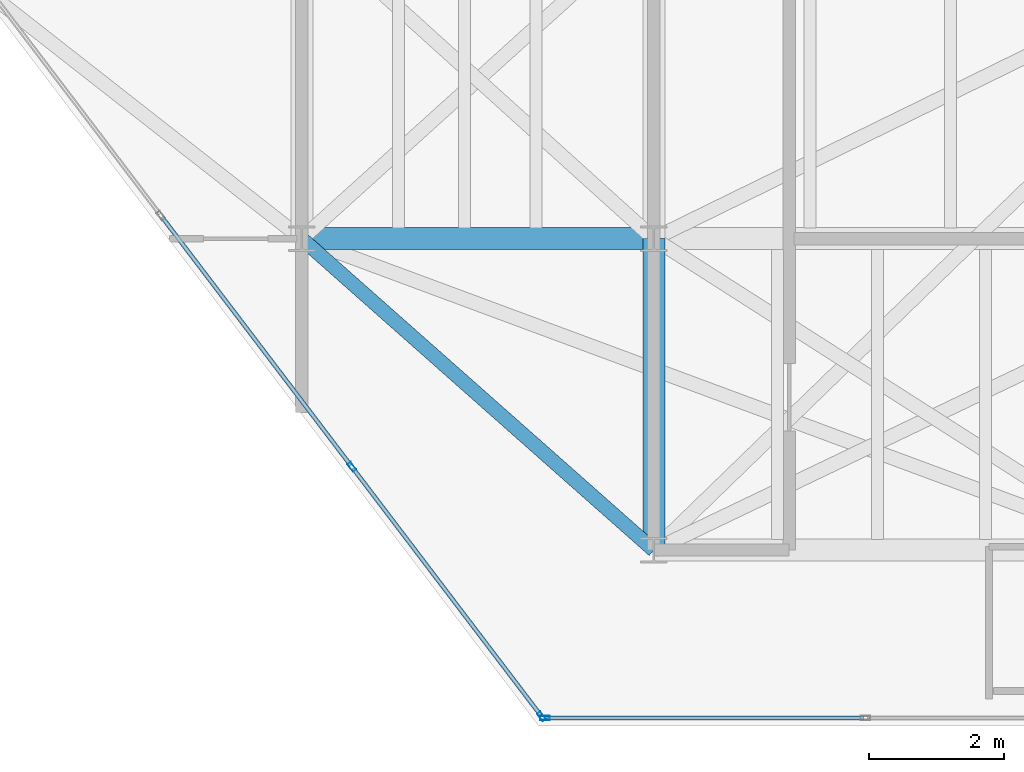
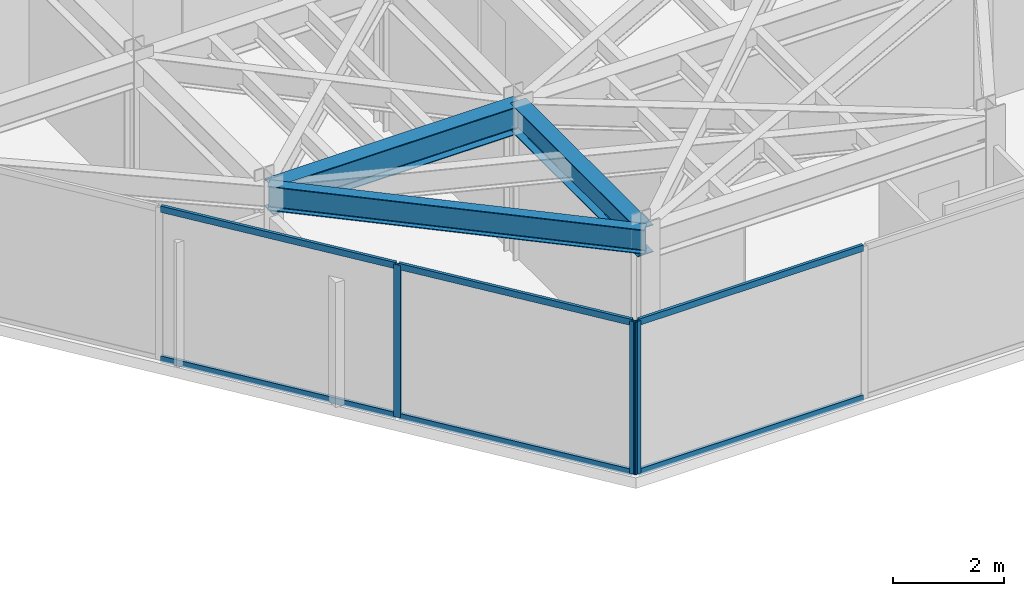
# One storey, part 7 of 16: 9 members, 3 beams, 2 elements without a shape of their own.
"""IFC4 building model written with IfcOpenShell, lengths in metres."""

from ifc_helpers import new_model, si_unit, direction, frame, origin, origin_2d, place, context, subcontext, project, spatial, hollow_rectangle, i_section, extrude, material, layer, layer_set, material_profile, profile_set, type_object, element, aggregate, save


model = new_model("IFC4")

# Units and contexts
model_context = context("Model", 3, precision=1e-05, world=origin(), true_north=direction((0.0, 1.0)))
body_context = subcontext(model_context, "Body", "Model", "MODEL_VIEW")
ifc_project = project(units=[si_unit("LENGTHUNIT", "METRE"), si_unit("AREAUNIT", "SQUARE_METRE"), si_unit("VOLUMEUNIT", "CUBIC_METRE"), si_unit("PLANEANGLEUNIT", "RADIAN"), si_unit("MASSUNIT", "GRAM", prefix="KILO")], contexts=[model_context])

# Site, building, storey
site_placement = place(None, origin())
site = spatial("IfcSite", under=ifc_project, at=site_placement, CompositionType="ELEMENT")
building_placement = place(site_placement, origin())
building = spatial("IfcBuilding", under=site, at=building_placement, Name="Kravanh Interchange Tower", CompositionType="ELEMENT")
storey_placement = place(building_placement, frame((0.0, 0.0, 303.89990234375)))
storey = spatial("IfcBuildingStorey", under=building, at=storey_placement, Name="L75", CompositionType="ELEMENT", Elevation=303.89990234375)

# Curtain wall, member
ifc_material_1 = material(Name="Anodised Bronze Aluminium", Category="aluminium")
ifc_layer = layer(ifc_material_1, 0.179931640625)
ifc_layer_set = layer_set([ifc_layer], Name="Unitised Curtain Wall System CW-HTL Luxury Hotel")
curtain_wall_type = type_object("IfcCurtainWallType", Name="Unitised Curtain Wall System CW-HTL Luxury Hotel", PredefinedType="NOTDEFINED", material=ifc_layer_set)
curtain_wall_1_placement = place(storey_placement, origin())
curtain_wall_1 = element("IfcCurtainWall", 1, at=curtain_wall_1_placement, inside=storey, type_object=curtain_wall_type, Name="L75 Unitised Curtain Wall CW-L75-03", PredefinedType="NOTDEFINED")
ifc_material_2 = material(Name="Anodised Bronze Aluminium", Category="aluminium")
ifc_material_profile_1 = material_profile(ifc_material_2, hollow_rectangle(XDim=0.06005859375, YDim=0.139892578125, WallThickness=0.00390625, at=origin_2d()), Name="ALU60X140X4")
ifc_profile_set_1 = profile_set([ifc_material_profile_1], Name="Anodised Bronze Aluminium")
member_type_1 = type_object("IfcMemberType", Name="Curtain Wall Mullion ALU60X140X4 Bronze", PredefinedType="MULLION", material=ifc_profile_set_1)
member_1_placement = place(storey_placement, frame((54.389404296875, 19.719970703125, 0.0), z_axis=(0.0, 0.0, 1.0), x_axis=(0.0, -1.0, 0.0)))
member_1 = element("IfcMember", 2, at=member_1_placement, type_object=member_type_1, Name="CW-HTL mullion 3", PredefinedType="MULLION", context=body_context, shape_type="SweptSolid", body=[
    extrude(hollow_rectangle(XDim=0.06005859375, YDim=0.139892578125, WallThickness=0.00390625, at=origin_2d()), origin(), (0.0, 0.0, 1.0), 3.364990234375),
])

# Curtain wall, members
curtain_wall_2_placement = place(storey_placement, origin())
curtain_wall_2 = element("IfcCurtainWall", 3, at=curtain_wall_2_placement, inside=storey, type_object=curtain_wall_type, Name="L75 Unitised Curtain Wall CW-L75-04", PredefinedType="NOTDEFINED")
member_2_placement = place(storey_placement, frame((54.34130859375, 19.743896484375, 0.0), z_axis=(0.0, 0.0, 1.0), x_axis=(-0.796161642797, -0.605083992962, 0.0)))
member_2 = element("IfcMember", 4, at=member_2_placement, type_object=member_type_1, Name="CW-HTL mullion 1", PredefinedType="MULLION", context=body_context, shape_type="SweptSolid", body=[
    extrude(hollow_rectangle(XDim=0.06005859375, YDim=0.139892578125, WallThickness=0.00390625, at=origin_2d()), origin(), (0.0, 0.0, 1.0), 3.364990234375),
])
member_3_placement = place(storey_placement, frame((51.53955078125, 23.430419921875, 0.0), z_axis=(0.0, 0.0, 1.0), x_axis=(-0.796161642797, -0.605083992962, 0.0)))
member_3 = element("IfcMember", 5, at=member_3_placement, type_object=member_type_1, Name="CW-HTL mullion 2", PredefinedType="MULLION", context=body_context, shape_type="SweptSolid", body=[
    extrude(hollow_rectangle(XDim=0.06005859375, YDim=0.139892578125, WallThickness=0.00390625, at=origin_2d()), origin(), (0.0, 0.0, 1.0), 3.364990234375),
])

# Member
ifc_material_3 = material(Name="Anodised Bronze Aluminium", Category="aluminium")
ifc_material_profile_2 = material_profile(ifc_material_3, hollow_rectangle(XDim=0.06005859375, YDim=0.139892578125, WallThickness=0.00390625, at=origin_2d()), Name="ALU60X140X4")
ifc_profile_set_2 = profile_set([ifc_material_profile_2], Name="Anodised Bronze Aluminium")
member_type_2 = type_object("IfcMemberType", Name="Curtain Wall Transom ALU60X140X4 Bronze", PredefinedType="USERDEFINED", material=ifc_profile_set_2)
member_4_placement = place(storey_placement, frame((59.096435546875, 19.719970703125, 0.030029296875), z_axis=(-1.0, 0.0, 0.0), x_axis=(0.0, -1.0, 0.0)))
member_4 = element("IfcMember", 6, at=member_4_placement, type_object=member_type_2, Name="CW-HTL transom 2.1", ObjectType="TRANSOM", PredefinedType="USERDEFINED", context=body_context, shape_type="SweptSolid", body=[
    extrude(hollow_rectangle(XDim=0.06005859375, YDim=0.139892578125, WallThickness=0.00390625, at=origin_2d()), origin(), (0.0, 0.0, 1.0), 4.677001953125),
])

member_5_placement = place(storey_placement, frame((59.096435546875, 19.719970703125, 3.335205078125), z_axis=(-1.0, 0.0, 0.0), x_axis=(0.0, -1.0, 0.0)))
member_5 = element("IfcMember", 7, at=member_5_placement, type_object=member_type_2, Name="CW-HTL transom 2.2", ObjectType="TRANSOM", PredefinedType="USERDEFINED", context=body_context, shape_type="SweptSolid", body=[
    extrude(hollow_rectangle(XDim=0.06005859375, YDim=0.139892578125, WallThickness=0.00390625, at=origin_2d()), origin(), (0.0, 0.0, 1.0), 4.677001953125),
])

aggregate(curtain_wall_1, [member_1, member_4, member_5])

member_6_placement = place(storey_placement, frame((54.3232421875, 19.767822265625, 0.030029296875), z_axis=(-0.605081913085, 0.796163223502, 0.0), x_axis=(-0.796163223502, -0.605081913085, 0.0)))
member_6 = element("IfcMember", 8, at=member_6_placement, type_object=member_type_2, Name="CW-HTL transom 1.1", ObjectType="TRANSOM", PredefinedType="USERDEFINED", context=body_context, shape_type="SweptSolid", body=[
    extrude(hollow_rectangle(XDim=0.06005859375, YDim=0.139892578125, WallThickness=0.00390625, at=origin_2d()), origin(), (0.0, 0.0, 1.0), 4.5703125),
])

member_7_placement = place(storey_placement, frame((54.3232421875, 19.767822265625, 3.335205078125), z_axis=(-0.605081913085, 0.796163223502, 0.0), x_axis=(-0.796163223502, -0.605081913085, 0.0)))
member_7 = element("IfcMember", 9, at=member_7_placement, type_object=member_type_2, Name="CW-HTL transom 1.2", ObjectType="TRANSOM", PredefinedType="USERDEFINED", context=body_context, shape_type="SweptSolid", body=[
    extrude(hollow_rectangle(XDim=0.06005859375, YDim=0.139892578125, WallThickness=0.00390625, at=origin_2d()), origin(), (0.0, 0.0, 1.0), 4.5703125),
])

member_8_placement = place(storey_placement, frame((51.521484375, 23.4541015625, 0.030029296875), z_axis=(-0.605065774315, 0.796175488666, 0.0), x_axis=(-0.796175488666, -0.605065774315, 0.0)))
member_8 = element("IfcMember", 10, at=member_8_placement, type_object=member_type_2, Name="CW-HTL transom 2.1", ObjectType="TRANSOM", PredefinedType="USERDEFINED", context=body_context, shape_type="SweptSolid", body=[
    extrude(hollow_rectangle(XDim=0.06005859375, YDim=0.139892578125, WallThickness=0.00390625, at=origin_2d()), origin(), (0.0, 0.0, 1.0), 4.600341796875),
])

member_9_placement = place(storey_placement, frame((51.521484375, 23.4541015625, 3.335205078125), z_axis=(-0.605065774315, 0.796175488666, 0.0), x_axis=(-0.796175488666, -0.605065774315, 0.0)))
member_9 = element("IfcMember", 11, at=member_9_placement, type_object=member_type_2, Name="CW-HTL transom 2.2", ObjectType="TRANSOM", PredefinedType="USERDEFINED", context=body_context, shape_type="SweptSolid", body=[
    extrude(hollow_rectangle(XDim=0.06005859375, YDim=0.139892578125, WallThickness=0.00390625, at=origin_2d()), origin(), (0.0, 0.0, 1.0), 4.600341796875),
])

aggregate(curtain_wall_2, [member_2, member_3, member_6, member_7, member_8, member_9])

# Beams
ifc_material_4 = material(Name="Structural Steel S355", Category="steel")
ifc_material_profile_3 = material_profile(ifc_material_4, i_section(OverallWidth=0.323974609375, OverallDepth=0.611083984375, WebThickness=0.0126953125, FlangeThickness=0.01904296875, FilletRadius=0.02197265625, at=origin_2d()), Name="W24X104")
ifc_profile_set_3 = profile_set([ifc_material_profile_3], Name="Structural Steel S355")
beam_type_1 = type_object("IfcBeamType", Name="Floor Beam W24X104 Structural Steel S355", PredefinedType="BEAM", material=ifc_profile_set_3)
beam_1_placement = place(storey_placement, frame((50.800048828125, 26.800048828125, 3.0595703125), z_axis=(1.0, 0.0, 0.0), x_axis=(0.0, 1.0, 0.0)))
element("IfcBeam", 12, at=beam_1_placement, inside=storey, type_object=beam_type_1, Name="L75 Primary Floor Girder 19", PredefinedType="BEAM", context=body_context, shape_type="SweptSolid", body=[
    extrude(i_section(OverallWidth=0.323974609375, OverallDepth=0.611083984375, WebThickness=0.0126953125, FlangeThickness=0.01904296875, FilletRadius=0.02197265625, at=origin_2d()), origin(), (0.0, 0.0, 1.0), 5.199951171875),
])
beam_2_placement = place(storey_placement, frame((56.0, 26.800048828125, 3.0595703125), z_axis=(0.0, -1.0, 0.0), x_axis=(1.0, 0.0, 0.0)))
element("IfcBeam", 13, at=beam_2_placement, inside=storey, type_object=beam_type_1, Name="L75 Primary Floor Girder 22", PredefinedType="BEAM", context=body_context, shape_type="SweptSolid", body=[
    extrude(i_section(OverallWidth=0.323974609375, OverallDepth=0.611083984375, WebThickness=0.0126953125, FlangeThickness=0.01904296875, FilletRadius=0.02197265625, at=origin_2d()), origin(), (0.0, 0.0, 1.0), 4.60009765625),
])
ifc_material_5 = material(Name="Structural Steel S355", Category="steel")
ifc_material_profile_4 = material_profile(ifc_material_5, i_section(OverallWidth=0.2099609375, OverallDepth=0.537109375, WebThickness=0.010986328125, FlangeThickness=0.017333984375, FilletRadius=0.02001953125, at=origin_2d()), Name="W21X68")
ifc_profile_set_4 = profile_set([ifc_material_profile_4], Name="Structural Steel S355")
beam_type_2 = type_object("IfcBeamType", Name="Floor Spandrel W21X68 Structural Steel S355", PredefinedType="SPANDREL", material=ifc_profile_set_4)
beam_3_placement = place(storey_placement, frame((50.800048828125, 26.800048828125, 3.0966796875), z_axis=(0.74898649432, -0.662585263439, 0.0), x_axis=(0.662585263439, 0.74898649432, 0.0)))
element("IfcBeam", 14, at=beam_3_placement, inside=storey, type_object=beam_type_2, Name="L75 Perimeter Spandrel 20", PredefinedType="SPANDREL", context=body_context, shape_type="SweptSolid", body=[
    extrude(i_section(OverallWidth=0.2099609375, OverallDepth=0.537109375, WebThickness=0.010986328125, FlangeThickness=0.017333984375, FilletRadius=0.02001953125, at=origin_2d()), origin(), (0.0, 0.0, 1.0), 6.942626953125),
])

save(model, "model.ifc")
